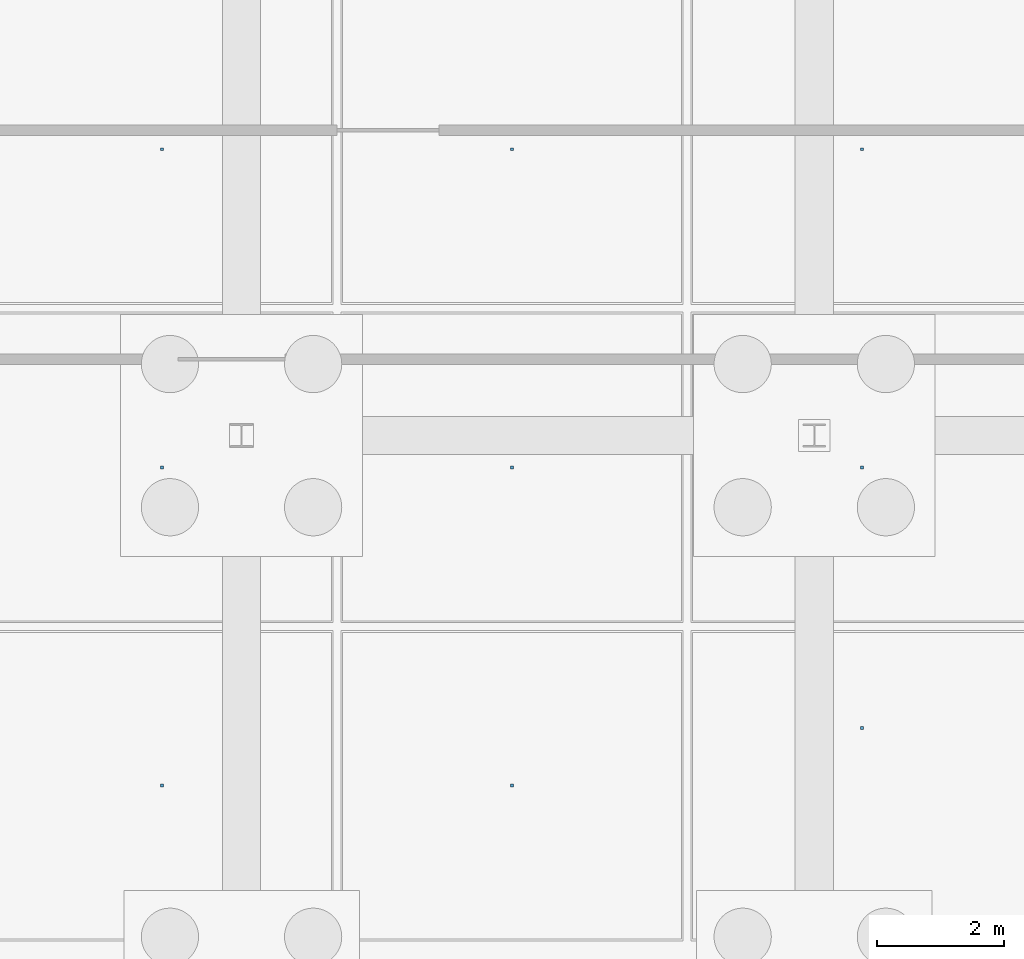
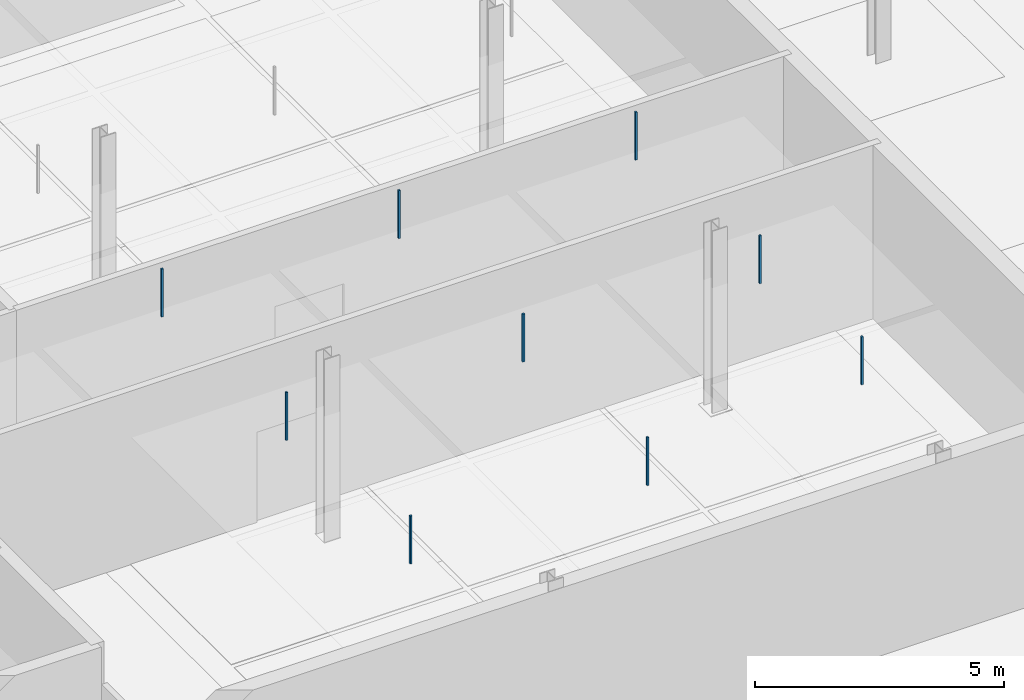
# One storey, part 37 of 48: 9 discrete accessories.
"""IFC4 building model written with IfcOpenShell, lengths in metres."""

from ifc_helpers import new_model, si_unit, direction, frame, origin, origin_2d, place, context, subcontext, project, spatial, rectangle, extrude, material, type_object, element, save


model = new_model("IFC4")

# Units and contexts
model_context = context("Model", 3, precision=1e-05, world=origin(), true_north=direction((0.0, 1.0)))
body_context = subcontext(model_context, "Body", "Model", "MODEL_VIEW")
ifc_project = project(units=[si_unit("LENGTHUNIT", "METRE"), si_unit("AREAUNIT", "SQUARE_METRE"), si_unit("VOLUMEUNIT", "CUBIC_METRE"), si_unit("PLANEANGLEUNIT", "RADIAN"), si_unit("MASSUNIT", "GRAM", prefix="KILO"), si_unit("THERMODYNAMICTEMPERATUREUNIT", "KELVIN"), si_unit("POWERUNIT", "WATT")], contexts=[model_context])

# Site, building, storey
site_placement = place(None, origin())
site = spatial("IfcSite", under=ifc_project, at=site_placement, CompositionType="ELEMENT")
building_placement = place(site_placement, origin())
building = spatial("IfcBuilding", under=site, at=building_placement, Name="Tallowbark Science Centre", CompositionType="ELEMENT")
storey_placement = place(building_placement, frame((0.0, 0.0, -4.5)))
storey = spatial("IfcBuildingStorey", under=building, at=storey_placement, Name="B1", CompositionType="ELEMENT", Elevation=-4.5)

# Discrete accessories
ifc_material = material(Name="Galvanised Steel Grade C350L0 (350 MPa)", Category="steel")
discrete_accessory_type = type_object("IfcDiscreteAccessoryType", Name="ACC-CLG-HNG", PredefinedType="BRACKET", material=ifc_material)
for number, where, z_axis, x_axis, name in (
    (1, (88.75, 75.5, 3.10498046875), (0.0, 0.0, 1.0), (1.0, 0.0, 0.0), "Ceiling Hanger Bracket B1-48"),
    (2, (88.75, 80.5, 3.10498046875), (0.0, 0.0, 1.0), (1.0, 0.0, 0.0), "Ceiling Hanger Bracket B1-49"),
    (3, (88.75, 85.5, 3.10498046875), (0.0, 0.0, 1.0), (1.0, 0.0, 0.0), "Ceiling Hanger Bracket B1-50"),
    (4, (94.25, 75.5, 3.10498046875), (0.0, 0.0, 1.0), (1.0, 0.0, 0.0), "Ceiling Hanger Bracket B1-53"),
    (5, (94.25, 80.5, 3.10498046875), (0.0, 0.0, 1.0), (1.0, 0.0, 0.0), "Ceiling Hanger Bracket B1-54"),
    (6, (94.25, 85.5, 3.10498046875), (0.0, 0.0, 1.0), (1.0, 0.0, 0.0), "Ceiling Hanger Bracket B1-55"),
    (7, (99.75, 76.405029296875, 3.10498046875), (0.0, 0.0, 1.0), (1.0, 0.0, 0.0), "Ceiling Hanger Bracket B1-58"),
    (8, (99.75, 80.5, 3.10498046875), (0.0, 0.0, 1.0), (1.0, 0.0, 0.0), "Ceiling Hanger Bracket B1-59"),
    (9, (99.75, 85.5, 3.10498046875), (0.0, 0.0, 1.0), (1.0, 0.0, 0.0), "Ceiling Hanger Bracket B1-60"),
):
    element("IfcDiscreteAccessory", number, at=place(storey_placement, frame(where, z_axis=z_axis, x_axis=x_axis)), inside=storey, type_object=discrete_accessory_type, Name=name, PredefinedType="BRACKET", context=body_context, shape_type="SweptSolid", body=[
        extrude(rectangle(XDim=0.044921875, YDim=0.044921875, at=origin_2d()), origin(), (0.0, 0.0, 1.0), 1.177978515625),
    ])

save(model, "model.ifc")
